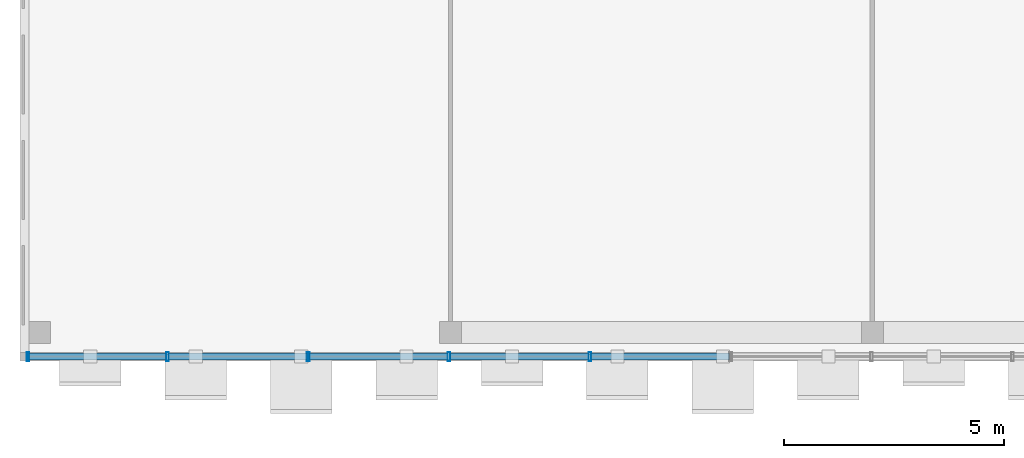
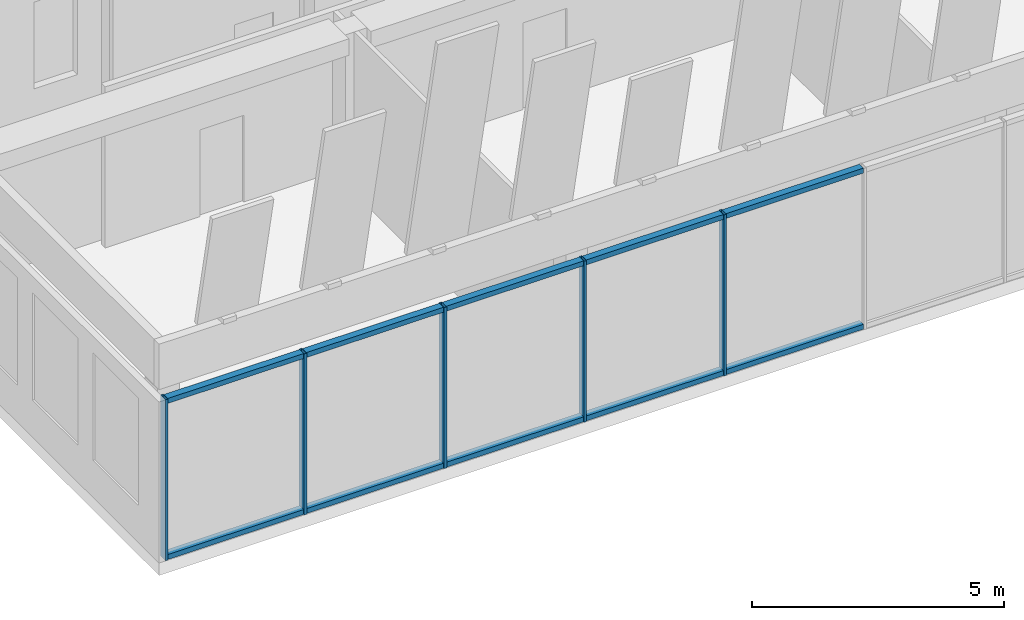
# One storey, part 2 of 26: 15 members, 1 element without a shape of its own.
"""IFC4 building model written with IfcOpenShell, lengths in metres."""

from ifc_helpers import new_model, si_unit, direction, frame, origin, origin_2d, place, context, subcontext, project, spatial, hollow_rectangle, extrude, material, layer, layer_set, material_profile, profile_set, type_object, element, aggregate, save


model = new_model("IFC4")

# Units and contexts
model_context = context("Model", 3, precision=1e-05, world=origin(), true_north=direction((0.0, 1.0)))
body_context = subcontext(model_context, "Body", "Model", "MODEL_VIEW")
ifc_project = project(units=[si_unit("LENGTHUNIT", "METRE"), si_unit("AREAUNIT", "SQUARE_METRE"), si_unit("VOLUMEUNIT", "CUBIC_METRE"), si_unit("PLANEANGLEUNIT", "RADIAN"), si_unit("MASSUNIT", "GRAM", prefix="KILO")], contexts=[model_context])

# Site, building, storey
site_placement = place(None, origin())
site = spatial("IfcSite", under=ifc_project, at=site_placement, CompositionType="ELEMENT")
building_placement = place(site_placement, origin())
building = spatial("IfcBuilding", under=site, at=building_placement, Name="Nzadi Deep Aquarium and Research Tower", CompositionType="ELEMENT")
storey_placement = place(building_placement, frame((0.0, 0.0, 78.10009765625)))
storey = spatial("IfcBuildingStorey", under=building, at=storey_placement, Name="L16", CompositionType="ELEMENT", Elevation=78.10009765625)

# Curtain wall, members
ifc_material_1 = material(Name="Aluminium unitised frame", Category="aluminium")
ifc_layer = layer(ifc_material_1, 0.199951171875)
ifc_layer_set = layer_set([ifc_layer], Name="Aluminium unitised frame")
curtain_wall_type = type_object("IfcCurtainWallType", Name="Curtain wall Unitised 200", PredefinedType="NOTDEFINED", material=ifc_layer_set)
curtain_wall_placement = place(storey_placement, origin())
curtain_wall = element("IfcCurtainWall", 1, at=curtain_wall_placement, inside=storey, type_object=curtain_wall_type, Name="Unitised curtain wall blade A south L16", PredefinedType="NOTDEFINED")
ifc_material_2 = material(Name="Aluminium unitised frame", Category="aluminium")
ifc_material_profile_1 = material_profile(ifc_material_2, hollow_rectangle(XDim=0.199951171875, YDim=0.06005859375, WallThickness=0.0048828125, at=origin_2d()))
ifc_profile_set_1 = profile_set([ifc_material_profile_1], Name="Aluminium unitised frame")
member_type_1 = type_object("IfcMemberType", Name="Mullion 60x200 Unitised", PredefinedType="MULLION", material=ifc_profile_set_1)
member_1_placement = place(storey_placement, frame((-0.02001953125, -0.10009765625, 0.0), z_axis=(0.0, 0.0, 1.0), x_axis=(0.0, 1.0, 0.0)))
member_1 = element("IfcMember", 2, at=member_1_placement, type_object=member_type_1, Name="CW075 mullion 1", PredefinedType="MULLION", context=body_context, shape_type="SweptSolid", body=[
    extrude(hollow_rectangle(XDim=0.199951171875, YDim=0.06005859375, WallThickness=0.0048828125, at=origin_2d()), origin(), (0.0, 0.0, 1.0), 3.89990234375),
])
member_2_placement = place(storey_placement, frame((3.155517578125, -0.10009765625, 0.0), z_axis=(0.0, 0.0, 1.0), x_axis=(0.0, 1.0, 0.0)))
member_2 = element("IfcMember", 3, at=member_2_placement, type_object=member_type_1, Name="CW075 mullion 2", PredefinedType="MULLION", context=body_context, shape_type="SweptSolid", body=[
    extrude(hollow_rectangle(XDim=0.199951171875, YDim=0.06005859375, WallThickness=0.0048828125, at=origin_2d()), origin(), (0.0, 0.0, 1.0), 3.89990234375),
])
member_3_placement = place(storey_placement, frame((6.361083984375, -0.10009765625, 0.0), z_axis=(0.0, 0.0, 1.0), x_axis=(0.0, 1.0, 0.0)))
member_3 = element("IfcMember", 4, at=member_3_placement, type_object=member_type_1, Name="CW075 mullion 3", PredefinedType="MULLION", context=body_context, shape_type="SweptSolid", body=[
    extrude(hollow_rectangle(XDim=0.199951171875, YDim=0.06005859375, WallThickness=0.0048828125, at=origin_2d()), origin(), (0.0, 0.0, 1.0), 3.89990234375),
])
member_4_placement = place(storey_placement, frame((9.566650390625, -0.10009765625, 0.0), z_axis=(0.0, 0.0, 1.0), x_axis=(0.0, 1.0, 0.0)))
member_4 = element("IfcMember", 5, at=member_4_placement, type_object=member_type_1, Name="CW075 mullion 4", PredefinedType="MULLION", context=body_context, shape_type="SweptSolid", body=[
    extrude(hollow_rectangle(XDim=0.199951171875, YDim=0.06005859375, WallThickness=0.0048828125, at=origin_2d()), origin(), (0.0, 0.0, 1.0), 3.89990234375),
])
member_5_placement = place(storey_placement, frame((12.772216796875, -0.10009765625, 0.0), z_axis=(0.0, 0.0, 1.0), x_axis=(0.0, 1.0, 0.0)))
member_5 = element("IfcMember", 6, at=member_5_placement, type_object=member_type_1, Name="CW075 mullion 5", PredefinedType="MULLION", context=body_context, shape_type="SweptSolid", body=[
    extrude(hollow_rectangle(XDim=0.199951171875, YDim=0.06005859375, WallThickness=0.0048828125, at=origin_2d()), origin(), (0.0, 0.0, 1.0), 3.89990234375),
])
ifc_material_3 = material(Name="Aluminium unitised frame", Category="aluminium")
ifc_material_profile_2 = material_profile(ifc_material_3, hollow_rectangle(XDim=0.159912109375, YDim=0.1201171875, WallThickness=0.0048828125, at=origin_2d()))
ifc_profile_set_2 = profile_set([ifc_material_profile_2], Name="Aluminium unitised frame")
member_type_2 = type_object("IfcMemberType", Name="Transom 120x160 Unitised", PredefinedType="MULLION", material=ifc_profile_set_2)
member_6_placement = place(storey_placement, frame((0.010009765625, -0.10009765625, 0.059814453125), z_axis=(1.0, 0.0, 0.0), x_axis=(0.0, 1.0, 0.0)))
member_6 = element("IfcMember", 7, at=member_6_placement, type_object=member_type_2, Name="CW075 transom 1.1", PredefinedType="MULLION", context=body_context, shape_type="SweptSolid", body=[
    extrude(hollow_rectangle(XDim=0.159912109375, YDim=0.1201171875, WallThickness=0.0048828125, at=origin_2d()), origin(), (0.0, 0.0, 1.0), 3.115478515625),
])
member_7_placement = place(storey_placement, frame((0.010009765625, -0.10009765625, 3.83984375), z_axis=(1.0, 0.0, 0.0), x_axis=(0.0, 1.0, 0.0)))
member_7 = element("IfcMember", 8, at=member_7_placement, type_object=member_type_2, Name="CW075 transom 1.2", PredefinedType="MULLION", context=body_context, shape_type="SweptSolid", body=[
    extrude(hollow_rectangle(XDim=0.159912109375, YDim=0.1201171875, WallThickness=0.0048828125, at=origin_2d()), origin(), (0.0, 0.0, 1.0), 3.115478515625),
])
member_8_placement = place(storey_placement, frame((3.185546875, -0.10009765625, 0.059814453125), z_axis=(1.0, 0.0, 0.0), x_axis=(0.0, 1.0, 0.0)))
member_8 = element("IfcMember", 9, at=member_8_placement, type_object=member_type_2, Name="CW075 transom 2.1", PredefinedType="MULLION", context=body_context, shape_type="SweptSolid", body=[
    extrude(hollow_rectangle(XDim=0.159912109375, YDim=0.1201171875, WallThickness=0.0048828125, at=origin_2d()), origin(), (0.0, 0.0, 1.0), 3.1455078125),
])
member_9_placement = place(storey_placement, frame((3.185546875, -0.10009765625, 3.83984375), z_axis=(1.0, 0.0, 0.0), x_axis=(0.0, 1.0, 0.0)))
member_9 = element("IfcMember", 10, at=member_9_placement, type_object=member_type_2, Name="CW075 transom 2.2", PredefinedType="MULLION", context=body_context, shape_type="SweptSolid", body=[
    extrude(hollow_rectangle(XDim=0.159912109375, YDim=0.1201171875, WallThickness=0.0048828125, at=origin_2d()), origin(), (0.0, 0.0, 1.0), 3.1455078125),
])
member_10_placement = place(storey_placement, frame((6.39111328125, -0.10009765625, 0.059814453125), z_axis=(1.0, 0.0, 0.0), x_axis=(0.0, 1.0, 0.0)))
member_10 = element("IfcMember", 11, at=member_10_placement, type_object=member_type_2, Name="CW075 transom 3.1", PredefinedType="MULLION", context=body_context, shape_type="SweptSolid", body=[
    extrude(hollow_rectangle(XDim=0.159912109375, YDim=0.1201171875, WallThickness=0.0048828125, at=origin_2d()), origin(), (0.0, 0.0, 1.0), 3.1455078125),
])
member_11_placement = place(storey_placement, frame((6.39111328125, -0.10009765625, 3.83984375), z_axis=(1.0, 0.0, 0.0), x_axis=(0.0, 1.0, 0.0)))
member_11 = element("IfcMember", 12, at=member_11_placement, type_object=member_type_2, Name="CW075 transom 3.2", PredefinedType="MULLION", context=body_context, shape_type="SweptSolid", body=[
    extrude(hollow_rectangle(XDim=0.159912109375, YDim=0.1201171875, WallThickness=0.0048828125, at=origin_2d()), origin(), (0.0, 0.0, 1.0), 3.1455078125),
])
member_12_placement = place(storey_placement, frame((9.5966796875, -0.10009765625, 0.059814453125), z_axis=(1.0, 0.0, 0.0), x_axis=(0.0, 1.0, 0.0)))
member_12 = element("IfcMember", 13, at=member_12_placement, type_object=member_type_2, Name="CW075 transom 4.1", PredefinedType="MULLION", context=body_context, shape_type="SweptSolid", body=[
    extrude(hollow_rectangle(XDim=0.159912109375, YDim=0.1201171875, WallThickness=0.0048828125, at=origin_2d()), origin(), (0.0, 0.0, 1.0), 3.1455078125),
])
member_13_placement = place(storey_placement, frame((9.5966796875, -0.10009765625, 3.83984375), z_axis=(1.0, 0.0, 0.0), x_axis=(0.0, 1.0, 0.0)))
member_13 = element("IfcMember", 14, at=member_13_placement, type_object=member_type_2, Name="CW075 transom 4.2", PredefinedType="MULLION", context=body_context, shape_type="SweptSolid", body=[
    extrude(hollow_rectangle(XDim=0.159912109375, YDim=0.1201171875, WallThickness=0.0048828125, at=origin_2d()), origin(), (0.0, 0.0, 1.0), 3.1455078125),
])
member_14_placement = place(storey_placement, frame((12.80224609375, -0.10009765625, 0.059814453125), z_axis=(1.0, 0.0, 0.0), x_axis=(0.0, 1.0, 0.0)))
member_14 = element("IfcMember", 15, at=member_14_placement, type_object=member_type_2, Name="CW075 transom 5.1", PredefinedType="MULLION", context=body_context, shape_type="SweptSolid", body=[
    extrude(hollow_rectangle(XDim=0.159912109375, YDim=0.1201171875, WallThickness=0.0048828125, at=origin_2d()), origin(), (0.0, 0.0, 1.0), 3.1455078125),
])
member_15_placement = place(storey_placement, frame((12.80224609375, -0.10009765625, 3.83984375), z_axis=(1.0, 0.0, 0.0), x_axis=(0.0, 1.0, 0.0)))
member_15 = element("IfcMember", 16, at=member_15_placement, type_object=member_type_2, Name="CW075 transom 5.2", PredefinedType="MULLION", context=body_context, shape_type="SweptSolid", body=[
    extrude(hollow_rectangle(XDim=0.159912109375, YDim=0.1201171875, WallThickness=0.0048828125, at=origin_2d()), origin(), (0.0, 0.0, 1.0), 3.1455078125),
])
aggregate(curtain_wall, [member_1, member_2, member_3, member_4, member_5, member_6, member_7, member_8, member_9, member_10, member_11, member_12, member_13, member_14, member_15])

save(model, "model.ifc")
